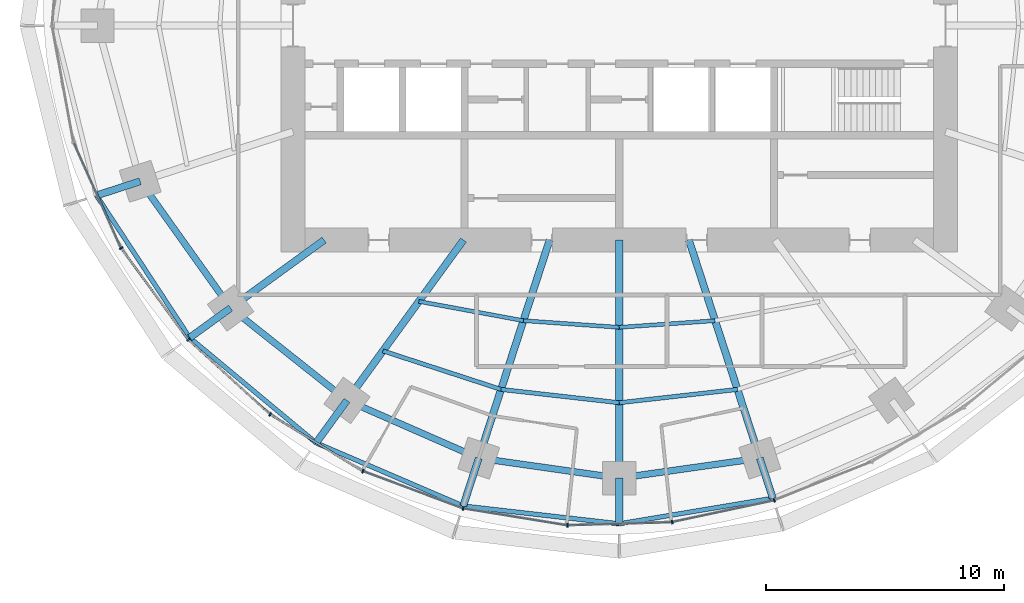
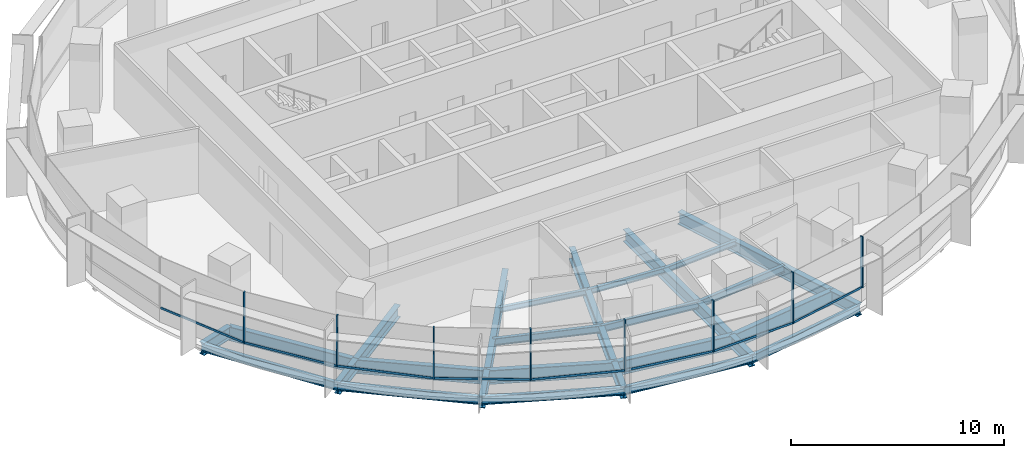
# One storey, part 2 of 15: 27 beams, 16 members, 2 elements without a shape of their own.
"""IFC4 building model written with IfcOpenShell, lengths in metres."""

from ifc_helpers import new_model, si_unit, direction, frame, origin, origin_2d, place, context, subcontext, project, spatial, rectangle, i_section, extrude, material, material_profile, profile_set, type_object, element, aggregate, save


model = new_model("IFC4")

# Units and contexts
model_context = context("Model", 3, precision=1e-05, world=origin(), true_north=direction((0.0, 1.0)))
body_context = subcontext(model_context, "Body", "Model", "MODEL_VIEW")
ifc_project = project(units=[si_unit("LENGTHUNIT", "METRE"), si_unit("AREAUNIT", "SQUARE_METRE"), si_unit("VOLUMEUNIT", "CUBIC_METRE"), si_unit("PLANEANGLEUNIT", "RADIAN"), si_unit("MASSUNIT", "GRAM", prefix="KILO")], contexts=[model_context])

# Site, building, storey
site_placement = place(None, origin())
site = spatial("IfcSite", under=ifc_project, at=site_placement, CompositionType="ELEMENT")
building_placement = place(site_placement, origin())
building = spatial("IfcBuilding", under=site, at=building_placement, Name="Marramba Exchange Tower", CompositionType="ELEMENT")
storey_placement = place(building_placement, frame((0.0, 0.0, 230.60009765625)))
storey = spatial("IfcBuildingStorey", under=building, at=storey_placement, Name="L56", CompositionType="ELEMENT", Elevation=230.60009765625)

# Beams
ifc_material_1 = material(Name="Steel AS/NZS 3679.2 grade 300", Category="steel")
ifc_material_profile_1 = material_profile(ifc_material_1, i_section(OverallWidth=0.300048828125, OverallDepth=0.699951171875, WebThickness=0.010009765625, FlangeThickness=0.031982421875, at=origin_2d()), Name="700WB173")
ifc_profile_set_1 = profile_set([ifc_material_profile_1], Name="Steel AS/NZS 3679.2 grade 300")
beam_type_1 = type_object("IfcBeamType", Name="Cantilever girder 700WB173", PredefinedType="BEAM", material=ifc_profile_set_1)
beam_1_placement = place(storey_placement, frame((-20.109375, -6.533935546875, -0.510009765625), z_axis=(-0.951071238541, -0.308971680287, 0.0), x_axis=(0.308971680287, -0.951071238541, 0.0)))
element("IfcBeam", 1, at=beam_1_placement, inside=storey, type_object=beam_type_1, Name="Cantilever girder L56 TC12", PredefinedType="BEAM", context=body_context, shape_type="SweptSolid", body=[
    extrude(i_section(OverallWidth=0.300048828125, OverallDepth=0.699951171875, WebThickness=0.010009765625, FlangeThickness=0.031982421875, at=origin_2d()), origin(), (0.0, 0.0, 1.0), 1.930419921875),
])
beam_2_placement = place(storey_placement, frame((-16.3154296875, -11.853759765625, -0.510009765625), z_axis=(-0.808969966943, -0.587849974555, 0.0), x_axis=(0.587849974555, -0.808969966943, 0.0)))
element("IfcBeam", 2, at=beam_2_placement, inside=storey, type_object=beam_type_1, Name="Cantilever girder L56 TC13", PredefinedType="BEAM", context=body_context, shape_type="SweptSolid", body=[
    extrude(i_section(OverallWidth=0.300048828125, OverallDepth=0.699951171875, WebThickness=0.010009765625, FlangeThickness=0.031982421875, at=origin_2d()), origin(), (0.0, 0.0, 1.0), 2.12109375),
])
beam_3_placement = place(storey_placement, frame((-11.430419921875, -15.732666015625, -0.510009765625), z_axis=(-0.587789596657, -0.809013837992, 0.0), x_axis=(0.809013837992, -0.587789596657, 0.0)))
element("IfcBeam", 3, at=beam_3_placement, inside=storey, type_object=beam_type_1, Name="Cantilever girder L56 TC14", PredefinedType="BEAM", context=body_context, shape_type="SweptSolid", body=[
    extrude(i_section(OverallWidth=0.300048828125, OverallDepth=0.699951171875, WebThickness=0.010009765625, FlangeThickness=0.031982421875, at=origin_2d()), origin(), (0.0, 0.0, 1.0), 2.203857421875),
])
beam_4_placement = place(storey_placement, frame((-5.899658203125, -18.156982421875, -0.510009765625), z_axis=(-0.308971068529, -0.951071437281, 0.0), x_axis=(0.951071437281, -0.308971068529, 0.0)))
element("IfcBeam", 4, at=beam_4_placement, inside=storey, type_object=beam_type_1, Name="Cantilever girder L56 TC15", PredefinedType="BEAM", context=body_context, shape_type="SweptSolid", body=[
    extrude(i_section(OverallWidth=0.300048828125, OverallDepth=0.699951171875, WebThickness=0.010009765625, FlangeThickness=0.031982421875, at=origin_2d()), origin(), (0.0, 0.0, 1.0), 2.112060546875),
])
beam_5_placement = place(storey_placement, frame((0.0, -18.99609375, -0.510009765625), z_axis=(0.0, -1.0, 0.0), x_axis=(1.0, 0.0, 0.0)))
element("IfcBeam", 5, at=beam_5_placement, inside=storey, type_object=beam_type_1, Name="Cantilever girder L56 TC16", PredefinedType="BEAM", context=body_context, shape_type="SweptSolid", body=[
    extrude(i_section(OverallWidth=0.300048828125, OverallDepth=0.699951171875, WebThickness=0.010009765625, FlangeThickness=0.031982421875, at=origin_2d()), origin(), (0.0, 0.0, 1.0), 1.917724609375),
])
beam_6_placement = place(storey_placement, frame((5.899658203125, -18.156982421875, -0.510009765625), z_axis=(0.308926813415, -0.951085813138, 0.0), x_axis=(0.951085813138, 0.308926813415, 0.0)))
element("IfcBeam", 6, at=beam_6_placement, inside=storey, type_object=beam_type_1, Name="Cantilever girder L56 TC17", PredefinedType="BEAM", context=body_context, shape_type="SweptSolid", body=[
    extrude(i_section(OverallWidth=0.300048828125, OverallDepth=0.699951171875, WebThickness=0.010009765625, FlangeThickness=0.031982421875, at=origin_2d()), origin(), (0.0, 0.0, 1.0), 1.767822265625),
])
ifc_material_2 = material(Name="Steel AS/NZS 3679.1 grade 300", Category="steel")
ifc_material_profile_2 = material_profile(ifc_material_2, i_section(OverallWidth=0.166015625, OverallDepth=0.306884765625, WebThickness=0.006591796875, FlangeThickness=0.01171875, FilletRadius=0.011474609375, at=origin_2d()), Name="310UB46.2")
ifc_profile_set_2 = profile_set([ifc_material_profile_2], Name="Steel AS/NZS 3679.1 grade 300")
beam_type_2 = type_object("IfcBeamType", Name="Floor joist 310UB46.2", PredefinedType="JOIST", material=ifc_profile_set_2)
beam_7_placement = place(storey_placement, frame((-8.41162109375, -11.57763671875, -0.3134765625), z_axis=(0.983455754421, -0.181148500119, 0.0), x_axis=(0.181148500119, 0.983455754421, 0.0)))
element("IfcBeam", 7, at=beam_7_placement, inside=storey, type_object=beam_type_2, Name="Joist L56 bay 14 row 1", PredefinedType="JOIST", context=body_context, shape_type="SweptSolid", body=[
    extrude(i_section(OverallWidth=0.166015625, OverallDepth=0.306884765625, WebThickness=0.006591796875, FlangeThickness=0.01171875, FilletRadius=0.011474609375, at=origin_2d()), origin(), (0.0, 0.0, 1.0), 4.4609375),
])
for number, where, z_axis, x_axis, name in (
    (8, (-4.0244140625, -12.3857421875, -0.3134765625), (0.99759625901, -0.069294328838, 0.0), (0.069294328838, 0.99759625901, 0.0), "Joist L56 bay 15 row 1"),
    (9, (0.0, -12.665283203125, -0.3134765625), (0.99759625901, 0.069294328838, 0.0), (-0.069294328838, 0.99759625901, 0.0), "Joist L56 bay 16 row 1"),
):
    element("IfcBeam", number, at=place(storey_placement, frame(where, z_axis=z_axis, x_axis=x_axis)), inside=storey, type_object=beam_type_2, Name=name, PredefinedType="JOIST", context=body_context, shape_type="SweptSolid", body=[
        extrude(i_section(OverallWidth=0.166015625, OverallDepth=0.306884765625, WebThickness=0.006591796875, FlangeThickness=0.01171875, FilletRadius=0.011474609375, at=origin_2d()), origin(), (0.0, 0.0, 1.0), 4.0341796875),
    ])
ifc_material_profile_3 = material_profile(ifc_material_2, i_section(OverallWidth=0.177978515625, OverallDepth=0.406005859375, WebThickness=0.0078125, FlangeThickness=0.0126953125, FilletRadius=0.011474609375, at=origin_2d()), Name="410UB59.7")
ifc_profile_set_3 = profile_set([ifc_material_profile_3], Name="Steel AS/NZS 3679.1 grade 300")
beam_type_3 = type_object("IfcBeamType", Name="Floor joist 410UB59.7", PredefinedType="JOIST", material=ifc_profile_set_3)
beam_8_placement = place(storey_placement, frame((-9.9208984375, -13.655029296875, -0.363037109375), z_axis=(0.950764024931, -0.309915744834, 0.0), x_axis=(0.309915744834, 0.950764024931, 0.0)))
element("IfcBeam", 10, at=beam_8_placement, inside=storey, type_object=beam_type_3, Name="Joist L56 bay 14 row 2", PredefinedType="JOIST", context=body_context, shape_type="SweptSolid", body=[
    extrude(i_section(OverallWidth=0.177978515625, OverallDepth=0.406005859375, WebThickness=0.0078125, FlangeThickness=0.0126953125, FilletRadius=0.011474609375, at=origin_2d()), origin(), (0.0, 0.0, 1.0), 5.2158203125),
])
for number, where, z_axis, x_axis, name in (
    (11, (-4.9619140625, -15.271484375, -0.363037109375), (0.993712018573, -0.111966174106, 0.0), (0.111966174106, 0.993712018573, 0.0), "Joist L56 bay 15 row 2"),
    (12, (0.0, -15.83056640625, -0.363037109375), (0.993712018573, 0.111966174106, 0.0), (-0.111966174106, 0.993712018573, 0.0), "Joist L56 bay 16 row 2"),
):
    element("IfcBeam", number, at=place(storey_placement, frame(where, z_axis=z_axis, x_axis=x_axis)), inside=storey, type_object=beam_type_3, Name=name, PredefinedType="JOIST", context=body_context, shape_type="SweptSolid", body=[
        extrude(i_section(OverallWidth=0.177978515625, OverallDepth=0.406005859375, WebThickness=0.0078125, FlangeThickness=0.0126953125, FilletRadius=0.011474609375, at=origin_2d()), origin(), (0.0, 0.0, 1.0), 4.993408203125),
    ])

# Curtain wall, members
ifc_material_3 = material(Name="Aluminium framing, bronze anodised", Category="aluminium")
curtain_wall_type = type_object("IfcCurtainWallType", Name="Office ribbon curtain wall", PredefinedType="USERDEFINED", material=ifc_material_3)
curtain_wall_1_placement = place(storey_placement, origin())
curtain_wall_1 = element("IfcCurtainWall", 13, at=curtain_wall_1_placement, inside=storey, type_object=curtain_wall_type, Name="Curtain wall CW4 L56 F16-F20", ObjectType="RIBBON CURTAIN WALL", PredefinedType="USERDEFINED")
ifc_material_4 = material(Name="Aluminium mullion, bronze anodised", Category="aluminium")
ifc_material_profile_4 = material_profile(ifc_material_4, rectangle(XDim=0.159912109375, YDim=0.06005859375, at=origin_2d()), Name="CW4 mullion 60x160")
ifc_profile_set_4 = profile_set([ifc_material_profile_4], Name="Aluminium mullion, bronze anodised")
member_type_1 = type_object("IfcMemberType", Name="Office ribbon curtain wall mullion", PredefinedType="MULLION", material=ifc_profile_set_4)
member_1_placement = place(storey_placement, frame((-20.910400390625, -9.342041015625, 0.7998046875), z_axis=(0.0, 0.0, 1.0), x_axis=(0.806508054547, 0.591223103363, 0.0)))
member_1 = element("IfcMember", 14, at=member_1_placement, type_object=member_type_1, Name="CW4 mullion 1", PredefinedType="MULLION", context=body_context, shape_type="SweptSolid", body=[
    extrude(rectangle(XDim=0.159912109375, YDim=0.06005859375, at=origin_2d()), origin(), (0.0, 0.0, 1.0), 2.940185546875),
])
member_2_placement = place(storey_placement, frame((-18.090087890625, -13.179443359375, 0.7998046875), z_axis=(0.0, 0.0, 1.0), x_axis=(0.67567103474, 0.737203264245, 0.0)))
member_2 = element("IfcMember", 15, at=member_2_placement, type_object=member_type_1, Name="CW4 mullion 1", PredefinedType="MULLION", context=body_context, shape_type="SweptSolid", body=[
    extrude(rectangle(XDim=0.159912109375, YDim=0.06005859375, at=origin_2d()), origin(), (0.0, 0.0, 1.0), 2.940185546875),
])
member_3_placement = place(storey_placement, frame((-14.655029296875, -16.320068359375, 0.7998046875), z_axis=(0.0, 0.0, 1.0), x_axis=(0.52305160869, 0.85230101176, 0.0)))
member_3 = element("IfcMember", 16, at=member_3_placement, type_object=member_type_1, Name="CW4 mullion 1", PredefinedType="MULLION", context=body_context, shape_type="SweptSolid", body=[
    extrude(rectangle(XDim=0.159912109375, YDim=0.06005859375, at=origin_2d()), origin(), (0.0, 0.0, 1.0), 2.940185546875),
])

curtain_wall_2_placement = place(storey_placement, origin())
curtain_wall_2 = element("IfcCurtainWall", 17, at=curtain_wall_2_placement, inside=storey, type_object=curtain_wall_type, Name="Curtain wall CW4 L56 F21-F25", ObjectType="RIBBON CURTAIN WALL", PredefinedType="USERDEFINED")
member_4_placement = place(storey_placement, frame((-10.76318359375, -18.70166015625, 0.7998046875), z_axis=(0.0, 0.0, 1.0), x_axis=(0.349459197687, 0.936951583142, 0.0)))
member_4 = element("IfcMember", 18, at=member_4_placement, type_object=member_type_1, Name="CW4 mullion 1", PredefinedType="MULLION", context=body_context, shape_type="SweptSolid", body=[
    extrude(rectangle(XDim=0.159912109375, YDim=0.06005859375, at=origin_2d()), origin(), (0.0, 0.0, 1.0), 2.940185546875),
])
member_5_placement = place(storey_placement, frame((-6.553466796875, -20.265625, 0.7998046875), z_axis=(0.0, 0.0, 1.0), x_axis=(0.161145726194, 0.986930623159, 0.0)))
member_5 = element("IfcMember", 19, at=member_5_placement, type_object=member_type_1, Name="CW4 mullion 1", PredefinedType="MULLION", context=body_context, shape_type="SweptSolid", body=[
    extrude(rectangle(XDim=0.159912109375, YDim=0.06005859375, at=origin_2d()), origin(), (0.0, 0.0, 1.0), 2.940185546875),
])
member_6_placement = place(storey_placement, frame((-2.174560546875, -20.974853515625, 0.7998046875), z_axis=(0.0, 0.0, 1.0), x_axis=(-0.029393451762, 0.99956791915, 0.0)))
member_6 = element("IfcMember", 20, at=member_6_placement, type_object=member_type_1, Name="CW4 mullion 1", PredefinedType="MULLION", context=body_context, shape_type="SweptSolid", body=[
    extrude(rectangle(XDim=0.159912109375, YDim=0.06005859375, at=origin_2d()), origin(), (0.0, 0.0, 1.0), 2.940185546875),
])
member_7_placement = place(storey_placement, frame((2.220458984375, -20.840087890625, 0.7998046875), z_axis=(0.0, 0.0, 1.0), x_axis=(-0.208332456608, 0.978058069607, 0.0)))
member_7 = element("IfcMember", 21, at=member_7_placement, type_object=member_type_1, Name="CW4 mullion 1", PredefinedType="MULLION", context=body_context, shape_type="SweptSolid", body=[
    extrude(rectangle(XDim=0.159912109375, YDim=0.06005859375, at=origin_2d()), origin(), (0.0, 0.0, 1.0), 2.940185546875),
])
member_8_placement = place(storey_placement, frame((6.504638671875, -19.922607421875, 0.7998046875), z_axis=(0.0, 0.0, 1.0), x_axis=(-0.367374724195, 0.93007301435, 0.0)))
member_8 = element("IfcMember", 22, at=member_8_placement, type_object=member_type_1, Name="CW4 mullion 1", PredefinedType="MULLION", context=body_context, shape_type="SweptSolid", body=[
    extrude(rectangle(XDim=0.159912109375, YDim=0.06005859375, at=origin_2d()), origin(), (0.0, 0.0, 1.0), 2.940185546875),
])

# Member
ifc_material_5 = material(Name="Aluminium transom, bronze anodised", Category="aluminium")
ifc_material_profile_5 = material_profile(ifc_material_5, rectangle(XDim=0.06005859375, YDim=0.1201171875, at=origin_2d()), Name="CW4 transom 60x120")
ifc_profile_set_5 = profile_set([ifc_material_profile_5], Name="Aluminium transom, bronze anodised")
member_type_2 = type_object("IfcMemberType", Name="Office ribbon curtain wall transom", PredefinedType="USERDEFINED", material=ifc_profile_set_5)
member_9_placement = place(storey_placement, frame((-22.888671875, -4.925048828125, 0.829833984375), z_axis=(0.407541263131, -0.913186792965, 0.0), x_axis=(0.913186792965, 0.407541263131, 0.0)))
member_9 = element("IfcMember", 23, at=member_9_placement, type_object=member_type_2, Name="CW4 sill transom", ObjectType="TRANSOM", PredefinedType="USERDEFINED", context=body_context, shape_type="SweptSolid", body=[
    extrude(rectangle(XDim=0.06005859375, YDim=0.1201171875, at=origin_2d()), origin(), (0.0, 0.0, 1.0), 4.810546875),
])

member_10_placement = place(storey_placement, frame((-20.892578125, -9.3662109375, 0.829833984375), z_axis=(0.591226373184, -0.806505657545, 0.0), x_axis=(0.806505657545, 0.591226373184, 0.0)))
member_10 = element("IfcMember", 24, at=member_10_placement, type_object=member_type_2, Name="CW4 sill transom", ObjectType="TRANSOM", PredefinedType="USERDEFINED", context=body_context, shape_type="SweptSolid", body=[
    extrude(rectangle(XDim=0.06005859375, YDim=0.1201171875, at=origin_2d()), origin(), (0.0, 0.0, 1.0), 4.702880859375),
])

member_11_placement = place(storey_placement, frame((-18.06787109375, -13.19970703125, 0.829833984375), z_axis=(0.737176195283, -0.675700567639, 0.0), x_axis=(0.675700567639, 0.737176195283, 0.0)))
member_11 = element("IfcMember", 25, at=member_11_placement, type_object=member_type_2, Name="CW4 sill transom", ObjectType="TRANSOM", PredefinedType="USERDEFINED", context=body_context, shape_type="SweptSolid", body=[
    extrude(rectangle(XDim=0.06005859375, YDim=0.1201171875, at=origin_2d()), origin(), (0.0, 0.0, 1.0), 4.5947265625),
])

member_12_placement = place(storey_placement, frame((-14.62939453125, -16.335693359375, 0.829833984375), z_axis=(0.852298011003, -0.523056498325, 0.0), x_axis=(0.523056498325, 0.852298011003, 0.0)))
member_12 = element("IfcMember", 26, at=member_12_placement, type_object=member_type_2, Name="CW4 sill transom", ObjectType="TRANSOM", PredefinedType="USERDEFINED", context=body_context, shape_type="SweptSolid", body=[
    extrude(rectangle(XDim=0.06005859375, YDim=0.1201171875, at=origin_2d()), origin(), (0.0, 0.0, 1.0), 4.503173828125),
])

aggregate(curtain_wall_1, [member_9, member_1, member_10, member_2, member_11, member_3, member_12])

member_13_placement = place(storey_placement, frame((-10.735107421875, -18.712158203125, 0.829833984375), z_axis=(0.936954830677, -0.349450490444, 0.0), x_axis=(0.349450490444, 0.936954830677, 0.0)))
member_13 = element("IfcMember", 27, at=member_13_placement, type_object=member_type_2, Name="CW4 sill transom", ObjectType="TRANSOM", PredefinedType="USERDEFINED", context=body_context, shape_type="SweptSolid", body=[
    extrude(rectangle(XDim=0.06005859375, YDim=0.1201171875, at=origin_2d()), origin(), (0.0, 0.0, 1.0), 4.431396484375),
])

member_14_placement = place(storey_placement, frame((-6.52392578125, -20.2705078125, 0.829833984375), z_axis=(0.986937225488, -0.161105285282, 0.0), x_axis=(0.161105285282, 0.986937225488, 0.0)))
member_14 = element("IfcMember", 28, at=member_14_placement, type_object=member_type_2, Name="CW4 sill transom", ObjectType="TRANSOM", PredefinedType="USERDEFINED", context=body_context, shape_type="SweptSolid", body=[
    extrude(rectangle(XDim=0.06005859375, YDim=0.1201171875, at=origin_2d()), origin(), (0.0, 0.0, 1.0), 4.37646484375),
])

member_15_placement = place(storey_placement, frame((-2.144775390625, -20.973876953125, 0.829833984375), z_axis=(0.999568338005, 0.029379204529, 0.0), x_axis=(-0.029379204529, 0.999568338005, 0.0)))
member_15 = element("IfcMember", 29, at=member_15_placement, type_object=member_type_2, Name="CW4 sill transom", ObjectType="TRANSOM", PredefinedType="USERDEFINED", context=body_context, shape_type="SweptSolid", body=[
    extrude(rectangle(XDim=0.06005859375, YDim=0.1201171875, at=origin_2d()), origin(), (0.0, 0.0, 1.0), 4.337890625),
])

member_16_placement = place(storey_placement, frame((2.249755859375, -20.833984375, 0.829833984375), z_axis=(0.978057951839, 0.208333009494, 0.0), x_axis=(-0.208333009494, 0.978057951839, 0.0)))
member_16 = element("IfcMember", 30, at=member_16_placement, type_object=member_type_2, Name="CW4 sill transom", ObjectType="TRANSOM", PredefinedType="USERDEFINED", context=body_context, shape_type="SweptSolid", body=[
    extrude(rectangle(XDim=0.06005859375, YDim=0.1201171875, at=origin_2d()), origin(), (0.0, 0.0, 1.0), 4.32177734375),
])

aggregate(curtain_wall_2, [member_4, member_13, member_5, member_14, member_6, member_15, member_7, member_16, member_8])

# Beams
ifc_material_profile_6 = material_profile(ifc_material_1, i_section(OverallWidth=0.300048828125, OverallDepth=0.699951171875, WebThickness=0.010009765625, FlangeThickness=0.031982421875, at=origin_2d()), Name="700WB173")
ifc_profile_set_6 = profile_set([ifc_material_profile_6], Name="Steel AS/NZS 3679.2 grade 300")
beam_type_4 = type_object("IfcBeamType", Name="Radial girder 700WB173", PredefinedType="BEAM", material=ifc_profile_set_6)
beam_9_placement = place(storey_placement, frame((-12.387451171875, -9.0, -0.510009765625), z_axis=(-0.809025189606, -0.58777397236, 0.0), x_axis=(0.58777397236, -0.809025189606, 0.0)))
element("IfcBeam", 31, at=beam_9_placement, inside=storey, type_object=beam_type_4, Name="Radial girder L56 TC13", PredefinedType="BEAM", context=body_context, shape_type="SweptSolid", body=[
    extrude(i_section(OverallWidth=0.300048828125, OverallDepth=0.699951171875, WebThickness=0.010009765625, FlangeThickness=0.031982421875, at=origin_2d()), origin(), (0.0, 0.0, 1.0), 4.855224609375),
])
beam_10_placement = place(storey_placement, frame((-6.538818359375, -9.0, -0.510009765625), z_axis=(-0.587787877172, -0.809015087282, 0.0), x_axis=(0.809015087282, -0.587787877172, 0.0)))
element("IfcBeam", 32, at=beam_10_placement, inside=storey, type_object=beam_type_4, Name="Radial girder L56 TC14", PredefinedType="BEAM", context=body_context, shape_type="SweptSolid", body=[
    extrude(i_section(OverallWidth=0.300048828125, OverallDepth=0.699951171875, WebThickness=0.010009765625, FlangeThickness=0.031982421875, at=origin_2d()), origin(), (0.0, 0.0, 1.0), 8.322021484375),
])
beam_11_placement = place(storey_placement, frame((-2.92431640625, -9.0, -0.510009765625), z_axis=(-0.309022428985, -0.951054750466, 0.0), x_axis=(0.951054750466, -0.309022428985, 0.0)))
element("IfcBeam", 33, at=beam_11_placement, inside=storey, type_object=beam_type_4, Name="Radial girder L56 TC15", PredefinedType="BEAM", context=body_context, shape_type="SweptSolid", body=[
    extrude(i_section(OverallWidth=0.300048828125, OverallDepth=0.699951171875, WebThickness=0.010009765625, FlangeThickness=0.031982421875, at=origin_2d()), origin(), (0.0, 0.0, 1.0), 9.628173828125),
])
beam_12_placement = place(storey_placement, frame((0.0, -9.0, -0.510009765625), z_axis=(0.0, -1.0, 0.0), x_axis=(1.0, 0.0, 0.0)))
element("IfcBeam", 34, at=beam_12_placement, inside=storey, type_object=beam_type_4, Name="Radial girder L56 TC16", PredefinedType="BEAM", context=body_context, shape_type="SweptSolid", body=[
    extrude(i_section(OverallWidth=0.300048828125, OverallDepth=0.699951171875, WebThickness=0.010009765625, FlangeThickness=0.031982421875, at=origin_2d()), origin(), (0.0, 0.0, 1.0), 9.99609375),
])
beam_13_placement = place(storey_placement, frame((2.92431640625, -9.0, -0.510009765625), z_axis=(0.309022428985, -0.951054750466, 0.0), x_axis=(0.951054750466, 0.309022428985, 0.0)))
element("IfcBeam", 35, at=beam_13_placement, inside=storey, type_object=beam_type_4, Name="Radial girder L56 TC17", PredefinedType="BEAM", context=body_context, shape_type="SweptSolid", body=[
    extrude(i_section(OverallWidth=0.300048828125, OverallDepth=0.699951171875, WebThickness=0.010009765625, FlangeThickness=0.031982421875, at=origin_2d()), origin(), (0.0, 0.0, 1.0), 9.628173828125),
])
ifc_material_profile_7 = material_profile(ifc_material_1, i_section(OverallWidth=0.27490234375, OverallDepth=0.800048828125, WebThickness=0.010009765625, FlangeThickness=0.02490234375, at=origin_2d()), Name="800WB168")
ifc_profile_set_7 = profile_set([ifc_material_profile_7], Name="Steel AS/NZS 3679.2 grade 300")
beam_type_5 = type_object("IfcBeamType", Name="Ring beam 800WB168", PredefinedType="SPANDREL", material=ifc_profile_set_7)
beam_14_placement = place(storey_placement, frame((-20.109375, -6.533935546875, -0.56005859375), z_axis=(0.580637181111, -0.814162430914, 0.0), x_axis=(0.814162430914, 0.580637181111, 0.0)))
element("IfcBeam", 36, at=beam_14_placement, inside=storey, type_object=beam_type_5, Name="Ring beam L56 TC12-TC13", PredefinedType="SPANDREL", context=body_context, shape_type="SweptSolid", body=[
    extrude(i_section(OverallWidth=0.27490234375, OverallDepth=0.800048828125, WebThickness=0.010009765625, FlangeThickness=0.02490234375, at=origin_2d()), origin(), (0.0, 0.0, 1.0), 6.5341796875),
])
beam_15_placement = place(storey_placement, frame((-16.3154296875, -11.853759765625, -0.56005859375), z_axis=(0.783139438128, -0.621846138887, 0.0), x_axis=(0.621846138887, 0.783139438128, 0.0)))
element("IfcBeam", 37, at=beam_15_placement, inside=storey, type_object=beam_type_5, Name="Ring beam L56 TC13-TC14", PredefinedType="SPANDREL", context=body_context, shape_type="SweptSolid", body=[
    extrude(i_section(OverallWidth=0.27490234375, OverallDepth=0.800048828125, WebThickness=0.010009765625, FlangeThickness=0.02490234375, at=origin_2d()), origin(), (0.0, 0.0, 1.0), 6.23779296875),
])
beam_16_placement = place(storey_placement, frame((-11.430419921875, -15.732666015625, -0.56005859375), z_axis=(0.915876892158, -0.4014592363, 0.0), x_axis=(0.4014592363, 0.915876892158, 0.0)))
element("IfcBeam", 38, at=beam_16_placement, inside=storey, type_object=beam_type_5, Name="Ring beam L56 TC14-TC15", PredefinedType="SPANDREL", context=body_context, shape_type="SweptSolid", body=[
    extrude(i_section(OverallWidth=0.27490234375, OverallDepth=0.800048828125, WebThickness=0.010009765625, FlangeThickness=0.02490234375, at=origin_2d()), origin(), (0.0, 0.0, 1.0), 6.038818359375),
])
for number, where, z_axis, x_axis, name in (
    (39, (-5.899658203125, -18.156982421875, -0.56005859375), (0.990036163016, -0.140813337152, 0.0), (0.140813337152, 0.990036163016, 0.0), "Ring beam L56 TC15-TC16"),
    (40, (0.0, -18.99609375, -0.56005859375), (0.990036163016, 0.140813337152, 0.0), (-0.140813337152, 0.990036163016, 0.0), "Ring beam L56 TC16-TC17"),
):
    element("IfcBeam", number, at=place(storey_placement, frame(where, z_axis=z_axis, x_axis=x_axis)), inside=storey, type_object=beam_type_5, Name=name, PredefinedType="SPANDREL", context=body_context, shape_type="SweptSolid", body=[
        extrude(i_section(OverallWidth=0.27490234375, OverallDepth=0.800048828125, WebThickness=0.010009765625, FlangeThickness=0.02490234375, at=origin_2d()), origin(), (0.0, 0.0, 1.0), 5.958984375),
    ])
ifc_material_profile_8 = material_profile(ifc_material_2, i_section(OverallWidth=0.19091796875, OverallDepth=0.4599609375, WebThickness=0.010009765625, FlangeThickness=0.01611328125, FilletRadius=0.011474609375, at=origin_2d()), Name="460UB82.1")
ifc_profile_set_8 = profile_set([ifc_material_profile_8], Name="Steel AS/NZS 3679.1 grade 300")
beam_type_6 = type_object("IfcBeamType", Name="Slab edge beam 460UB82.1", PredefinedType="SPANDREL", material=ifc_profile_set_8)
beam_17_placement = place(storey_placement, frame((-21.9453125, -7.13037109375, -0.39013671875), z_axis=(0.548275412052, -0.83629783722, 0.0), x_axis=(0.83629783722, 0.548275412052, 0.0)))
element("IfcBeam", 41, at=beam_17_placement, inside=storey, type_object=beam_type_6, Name="Slab edge beam L56 TC12-TC13", PredefinedType="SPANDREL", context=body_context, shape_type="SweptSolid", body=[
    extrude(i_section(OverallWidth=0.19091796875, OverallDepth=0.4599609375, WebThickness=0.010009765625, FlangeThickness=0.01611328125, FilletRadius=0.011474609375, at=origin_2d()), origin(), (0.0, 0.0, 1.0), 7.138916015625),
])
beam_18_placement = place(storey_placement, frame((-18.03125, -13.1005859375, -0.39013671875), z_axis=(0.768658895231, -0.639658895649, 0.0), x_axis=(0.639658895649, 0.768658895231, 0.0)))
element("IfcBeam", 42, at=beam_18_placement, inside=storey, type_object=beam_type_6, Name="Slab edge beam L56 TC13-TC14", PredefinedType="SPANDREL", context=body_context, shape_type="SweptSolid", body=[
    extrude(i_section(OverallWidth=0.19091796875, OverallDepth=0.4599609375, WebThickness=0.010009765625, FlangeThickness=0.01611328125, FilletRadius=0.011474609375, at=origin_2d()), origin(), (0.0, 0.0, 1.0), 6.902099609375),
])
beam_19_placement = place(storey_placement, frame((-12.725830078125, -17.515625, -0.39013671875), z_axis=(0.9189117964, -0.394463065999, 0.0), x_axis=(0.394463065999, 0.9189117964, 0.0)))
element("IfcBeam", 43, at=beam_19_placement, inside=storey, type_object=beam_type_6, Name="Slab edge beam L56 TC14-TC15", PredefinedType="SPANDREL", context=body_context, shape_type="SweptSolid", body=[
    extrude(i_section(OverallWidth=0.19091796875, OverallDepth=0.4599609375, WebThickness=0.010009765625, FlangeThickness=0.01611328125, FilletRadius=0.011474609375, at=origin_2d()), origin(), (0.0, 0.0, 1.0), 6.71826171875),
])
beam_20_placement = place(storey_placement, frame((-6.55224609375, -20.165771484375, -0.39013671875), z_axis=(0.993546030009, -0.113429653325, 0.0), x_axis=(0.113429653325, 0.993546030009, 0.0)))
element("IfcBeam", 44, at=beam_20_placement, inside=storey, type_object=beam_type_6, Name="Slab edge beam L56 TC15-TC16", PredefinedType="SPANDREL", context=body_context, shape_type="SweptSolid", body=[
    extrude(i_section(OverallWidth=0.19091796875, OverallDepth=0.4599609375, WebThickness=0.010009765625, FlangeThickness=0.01611328125, FilletRadius=0.011474609375, at=origin_2d()), origin(), (0.0, 0.0, 1.0), 6.5947265625),
])
beam_21_placement = place(storey_placement, frame((0.0, -20.913818359375, -0.39013671875), z_axis=(0.986365637189, 0.164568617219, 0.0), x_axis=(-0.164568617219, 0.986365637189, 0.0)))
element("IfcBeam", 45, at=beam_21_placement, inside=storey, type_object=beam_type_6, Name="Slab edge beam L56 TC16-TC17", PredefinedType="SPANDREL", context=body_context, shape_type="SweptSolid", body=[
    extrude(i_section(OverallWidth=0.19091796875, OverallDepth=0.4599609375, WebThickness=0.010009765625, FlangeThickness=0.01611328125, FilletRadius=0.011474609375, at=origin_2d()), origin(), (0.0, 0.0, 1.0), 6.534912109375),
])

save(model, "model.ifc")
